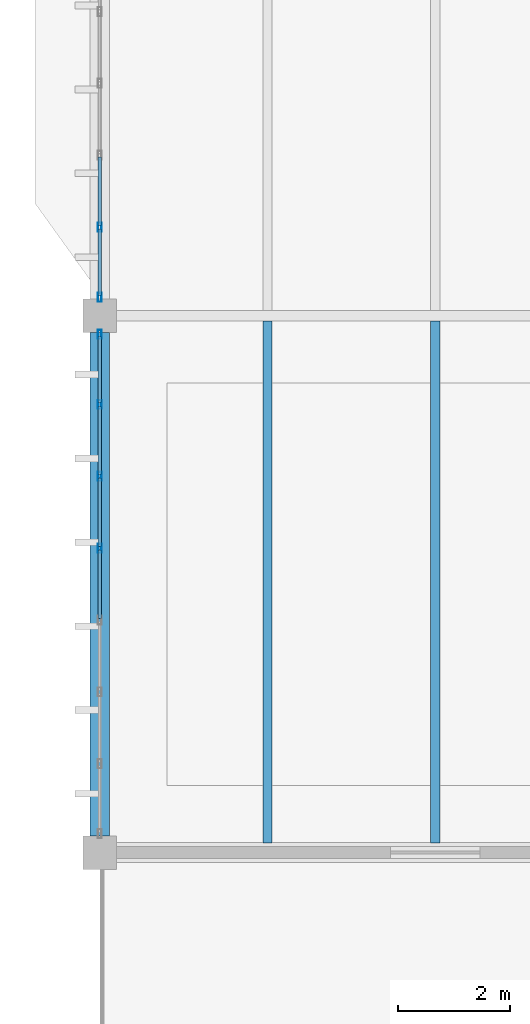
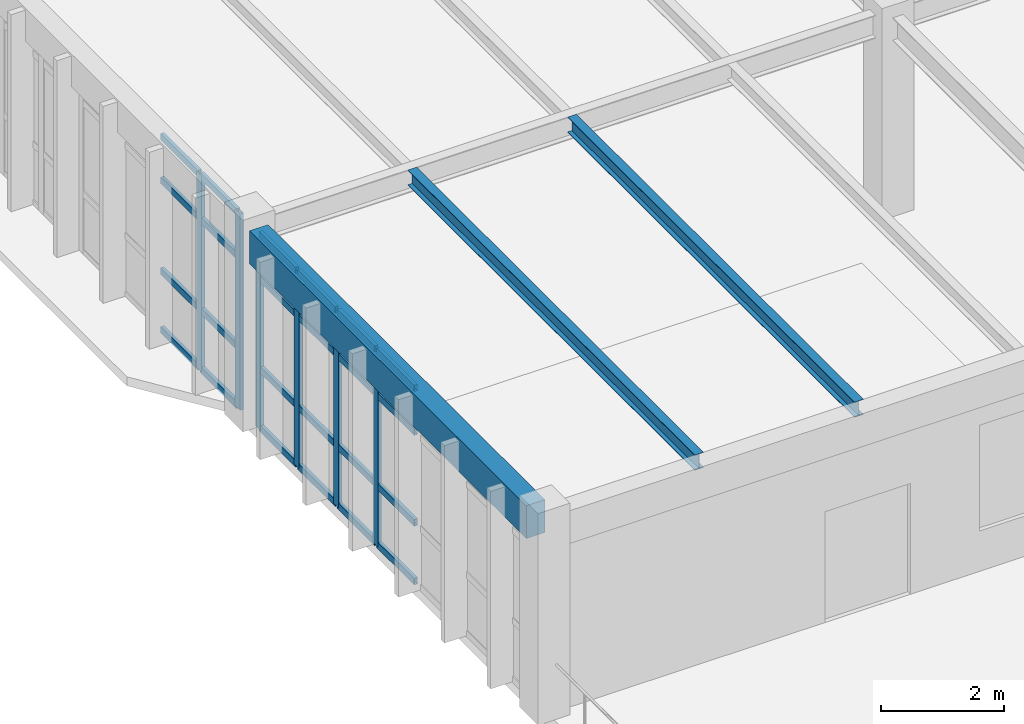
# One storey, part 26 of 83: 30 members, 3 beams, 2 elements without a shape of their own.
"""IFC4 building model written with IfcOpenShell, lengths in metres."""

from ifc_helpers import new_model, si_unit, direction, frame, origin, origin_2d, place, context, subcontext, project, spatial, rectangle, hollow_rectangle, i_section, extrude, material, layer, layer_set, material_profile, profile_set, type_object, element, aggregate, save


model = new_model("IFC4")

# Units and contexts
model_context = context("Model", 3, precision=1e-05, world=origin(), true_north=direction((0.0, 1.0)))
body_context = subcontext(model_context, "Body", "Model", "MODEL_VIEW")
ifc_project = project(units=[si_unit("LENGTHUNIT", "METRE"), si_unit("AREAUNIT", "SQUARE_METRE"), si_unit("VOLUMEUNIT", "CUBIC_METRE"), si_unit("PLANEANGLEUNIT", "RADIAN"), si_unit("MASSUNIT", "GRAM", prefix="KILO")], contexts=[model_context])

# Site, building, storey
site_placement = place(None, origin())
site = spatial("IfcSite", under=ifc_project, at=site_placement, CompositionType="ELEMENT")
building_placement = place(site_placement, origin())
building = spatial("IfcBuilding", under=site, at=building_placement, Name="Pandanus Reach Market Hall", CompositionType="ELEMENT")
storey_placement = place(building_placement, frame((0.0, 0.0, 10.199951171875)))
storey = spatial("IfcBuildingStorey", under=building, at=storey_placement, Name="L02", CompositionType="ELEMENT", Elevation=10.199951171875)

# Beam
ifc_material_1 = material(Name="Concrete N40 (40 MPa)", Category="concrete")
ifc_material_profile_1 = material_profile(ifc_material_1, rectangle(XDim=0.35009765625, YDim=0.64990234375, at=origin_2d()), Name="RC350x650", Category="LoadBearing")
ifc_profile_set_1 = profile_set([ifc_material_profile_1], Name="Concrete N40 (40 MPa)")
beam_type_1 = type_object("IfcBeamType", Name="BM-RC350-E", PredefinedType="SPANDREL", material=ifc_profile_set_1)
beam_placement = place(storey_placement, frame((144.0, 19.498046875, 3.625), z_axis=(0.0, 1.0, 0.0), x_axis=(-1.0, 0.0, 0.0)))
element("IfcBeam", 1, at=beam_placement, inside=storey, type_object=beam_type_1, Name="Framing beam BM-RC350-E L02.461", PredefinedType="SPANDREL", context=body_context, shape_type="SweptSolid", body=[
    extrude(rectangle(XDim=0.35009765625, YDim=0.64990234375, at=origin_2d()), origin(), (0.0, 0.0, 1.0), 9.00390625),
])

# Curtain wall, members
ifc_material_2 = material(Name="Bronze anodised aluminium and low-E glass", Category="aluminium")
ifc_layer = layer(ifc_material_2, 0.159912109375, Name="CW-33")
ifc_layer_set = layer_set([ifc_layer], Name="Bronze anodised aluminium and low-E glass")
curtain_wall_type = type_object("IfcCurtainWallType", Name="CW-33", PredefinedType="NOTDEFINED", material=ifc_layer_set)
curtain_wall_1_placement = place(storey_placement, origin())
curtain_wall_1 = element("IfcCurtainWall", 2, at=curtain_wall_1_placement, inside=storey, type_object=curtain_wall_type, Name="Glazed curtain wall CW-33 CW-0109", PredefinedType="NOTDEFINED")
ifc_material_3 = material(Name="Bronze anodised aluminium", Category="aluminium")
ifc_material_profile_2 = material_profile(ifc_material_3, hollow_rectangle(XDim=0.06494140625, YDim=0.159912109375, WallThickness=0.00390625, at=origin_2d()), Name="ALU65x160", Category="LoadBearing")
ifc_profile_set_2 = profile_set([ifc_material_profile_2], Name="Bronze anodised aluminium")
member_type_1 = type_object("IfcMemberType", Name="CW-M1", PredefinedType="MULLION", material=ifc_profile_set_2)
member_1_placement = place(storey_placement, frame((144.0, 24.642822265625, 0.0), z_axis=(0.0, 0.0, 1.0), x_axis=(-1.0, 0.0, 0.0)))
member_1 = element("IfcMember", 3, at=member_1_placement, type_object=member_type_1, Name="CW-33 mullion 5", PredefinedType="MULLION", context=body_context, shape_type="SweptSolid", body=[
    extrude(hollow_rectangle(XDim=0.06494140625, YDim=0.159912109375, WallThickness=0.00390625, at=origin_2d()), origin(), (0.0, 0.0, 1.0), 3.900146484375),
])
member_2_placement = place(storey_placement, frame((144.0, 25.928466796875, 0.0), z_axis=(0.0, 0.0, 1.0), x_axis=(-1.0, 0.0, 0.0)))
member_2 = element("IfcMember", 4, at=member_2_placement, type_object=member_type_1, Name="CW-33 mullion 6", PredefinedType="MULLION", context=body_context, shape_type="SweptSolid", body=[
    extrude(hollow_rectangle(XDim=0.06494140625, YDim=0.159912109375, WallThickness=0.00390625, at=origin_2d()), origin(), (0.0, 0.0, 1.0), 3.900146484375),
])
member_3_placement = place(storey_placement, frame((144.0, 27.21435546875, 0.0), z_axis=(0.0, 0.0, 1.0), x_axis=(-1.0, 0.0, 0.0)))
member_3 = element("IfcMember", 5, at=member_3_placement, type_object=member_type_1, Name="CW-33 mullion 7", PredefinedType="MULLION", context=body_context, shape_type="SweptSolid", body=[
    extrude(hollow_rectangle(XDim=0.06494140625, YDim=0.159912109375, WallThickness=0.00390625, at=origin_2d()), origin(), (0.0, 0.0, 1.0), 3.900146484375),
])
member_4_placement = place(storey_placement, frame((144.0, 28.467529296875, 0.0), z_axis=(0.0, 0.0, 1.0), x_axis=(-1.0, 0.0, 0.0)))
member_4 = element("IfcMember", 6, at=member_4_placement, type_object=member_type_1, Name="CW-33 mullion 8", PredefinedType="MULLION", context=body_context, shape_type="SweptSolid", body=[
    extrude(hollow_rectangle(XDim=0.06494140625, YDim=0.159912109375, WallThickness=0.00390625, at=origin_2d()), origin(), (0.0, 0.0, 1.0), 3.900146484375),
])

curtain_wall_2_placement = place(storey_placement, origin())
curtain_wall_2 = element("IfcCurtainWall", 7, at=curtain_wall_2_placement, inside=storey, type_object=curtain_wall_type, Name="Glazed curtain wall CW-33 CW-0110", PredefinedType="NOTDEFINED")
member_5_placement = place(storey_placement, frame((144.0, 29.132568359375, 0.0), z_axis=(0.0, 0.0, 1.0), x_axis=(-1.0, 0.0, 0.0)))
member_5 = element("IfcMember", 8, at=member_5_placement, type_object=member_type_1, Name="CW-33 mullion 1", PredefinedType="MULLION", context=body_context, shape_type="SweptSolid", body=[
    extrude(hollow_rectangle(XDim=0.06494140625, YDim=0.159912109375, WallThickness=0.00390625, at=origin_2d()), origin(), (0.0, 0.0, 1.0), 3.900146484375),
])
member_6_placement = place(storey_placement, frame((144.0, 30.3857421875, 0.0), z_axis=(0.0, 0.0, 1.0), x_axis=(-1.0, 0.0, 0.0)))
member_6 = element("IfcMember", 9, at=member_6_placement, type_object=member_type_1, Name="CW-33 mullion 2", PredefinedType="MULLION", context=body_context, shape_type="SweptSolid", body=[
    extrude(hollow_rectangle(XDim=0.06494140625, YDim=0.159912109375, WallThickness=0.00390625, at=origin_2d()), origin(), (0.0, 0.0, 1.0), 3.900146484375),
])

# Member
ifc_material_profile_3 = material_profile(ifc_material_3, hollow_rectangle(XDim=0.06494140625, YDim=0.1298828125, WallThickness=0.00390625, at=origin_2d()), Name="ALU65x130", Category="LoadBearing")
ifc_profile_set_3 = profile_set([ifc_material_profile_3], Name="Bronze anodised aluminium")
member_type_2 = type_object("IfcMemberType", Name="CW-T1", PredefinedType="USERDEFINED", material=ifc_profile_set_3)
member_7_placement = place(storey_placement, frame((144.0, 23.3896484375, 0.032470703125), z_axis=(0.0, 1.0, 0.0), x_axis=(-1.0, 0.0, 0.0)))
member_7 = element("IfcMember", 10, at=member_7_placement, type_object=member_type_2, Name="CW-33 transom 4.1", ObjectType="TRANSOM", PredefinedType="USERDEFINED", context=body_context, shape_type="SweptSolid", body=[
    extrude(hollow_rectangle(XDim=0.06494140625, YDim=0.1298828125, WallThickness=0.00390625, at=origin_2d()), origin(), (0.0, 0.0, 1.0), 1.220703125),
])

member_8_placement = place(storey_placement, frame((144.0, 23.3896484375, 1.199951171875), z_axis=(0.0, 1.0, 0.0), x_axis=(-1.0, 0.0, 0.0)))
member_8 = element("IfcMember", 11, at=member_8_placement, type_object=member_type_2, Name="CW-33 transom 4.2", ObjectType="TRANSOM", PredefinedType="USERDEFINED", context=body_context, shape_type="SweptSolid", body=[
    extrude(hollow_rectangle(XDim=0.06494140625, YDim=0.1298828125, WallThickness=0.00390625, at=origin_2d()), origin(), (0.0, 0.0, 1.0), 1.220703125),
])

member_9_placement = place(storey_placement, frame((144.0, 23.3896484375, 3.0), z_axis=(0.0, 1.0, 0.0), x_axis=(-1.0, 0.0, 0.0)))
member_9 = element("IfcMember", 12, at=member_9_placement, type_object=member_type_2, Name="CW-33 transom 4.3", ObjectType="TRANSOM", PredefinedType="USERDEFINED", context=body_context, shape_type="SweptSolid", body=[
    extrude(hollow_rectangle(XDim=0.06494140625, YDim=0.1298828125, WallThickness=0.00390625, at=origin_2d()), origin(), (0.0, 0.0, 1.0), 1.220703125),
])

member_10_placement = place(storey_placement, frame((144.0, 23.3896484375, 3.867431640625), z_axis=(0.0, 1.0, 0.0), x_axis=(-1.0, 0.0, 0.0)))
member_10 = element("IfcMember", 13, at=member_10_placement, type_object=member_type_2, Name="CW-33 transom 4.4", ObjectType="TRANSOM", PredefinedType="USERDEFINED", context=body_context, shape_type="SweptSolid", body=[
    extrude(hollow_rectangle(XDim=0.06494140625, YDim=0.1298828125, WallThickness=0.00390625, at=origin_2d()), origin(), (0.0, 0.0, 1.0), 1.220703125),
])

member_11_placement = place(storey_placement, frame((144.0, 24.67529296875, 0.032470703125), z_axis=(0.0, 1.0, 0.0), x_axis=(-1.0, 0.0, 0.0)))
member_11 = element("IfcMember", 14, at=member_11_placement, type_object=member_type_2, Name="CW-33 transom 5.1", ObjectType="TRANSOM", PredefinedType="USERDEFINED", context=body_context, shape_type="SweptSolid", body=[
    extrude(hollow_rectangle(XDim=0.06494140625, YDim=0.1298828125, WallThickness=0.00390625, at=origin_2d()), origin(), (0.0, 0.0, 1.0), 1.220703125),
])

member_12_placement = place(storey_placement, frame((144.0, 24.67529296875, 1.199951171875), z_axis=(0.0, 1.0, 0.0), x_axis=(-1.0, 0.0, 0.0)))
member_12 = element("IfcMember", 15, at=member_12_placement, type_object=member_type_2, Name="CW-33 transom 5.2", ObjectType="TRANSOM", PredefinedType="USERDEFINED", context=body_context, shape_type="SweptSolid", body=[
    extrude(hollow_rectangle(XDim=0.06494140625, YDim=0.1298828125, WallThickness=0.00390625, at=origin_2d()), origin(), (0.0, 0.0, 1.0), 1.220703125),
])

member_13_placement = place(storey_placement, frame((144.0, 24.67529296875, 3.0), z_axis=(0.0, 1.0, 0.0), x_axis=(-1.0, 0.0, 0.0)))
member_13 = element("IfcMember", 16, at=member_13_placement, type_object=member_type_2, Name="CW-33 transom 5.3", ObjectType="TRANSOM", PredefinedType="USERDEFINED", context=body_context, shape_type="SweptSolid", body=[
    extrude(hollow_rectangle(XDim=0.06494140625, YDim=0.1298828125, WallThickness=0.00390625, at=origin_2d()), origin(), (0.0, 0.0, 1.0), 1.220703125),
])

member_14_placement = place(storey_placement, frame((144.0, 24.67529296875, 3.867431640625), z_axis=(0.0, 1.0, 0.0), x_axis=(-1.0, 0.0, 0.0)))
member_14 = element("IfcMember", 17, at=member_14_placement, type_object=member_type_2, Name="CW-33 transom 5.4", ObjectType="TRANSOM", PredefinedType="USERDEFINED", context=body_context, shape_type="SweptSolid", body=[
    extrude(hollow_rectangle(XDim=0.06494140625, YDim=0.1298828125, WallThickness=0.00390625, at=origin_2d()), origin(), (0.0, 0.0, 1.0), 1.220703125),
])

member_15_placement = place(storey_placement, frame((144.0, 25.961181640625, 0.032470703125), z_axis=(0.0, 1.0, 0.0), x_axis=(-1.0, 0.0, 0.0)))
member_15 = element("IfcMember", 18, at=member_15_placement, type_object=member_type_2, Name="CW-33 transom 6.1", ObjectType="TRANSOM", PredefinedType="USERDEFINED", context=body_context, shape_type="SweptSolid", body=[
    extrude(hollow_rectangle(XDim=0.06494140625, YDim=0.1298828125, WallThickness=0.00390625, at=origin_2d()), origin(), (0.0, 0.0, 1.0), 1.220703125),
])

member_16_placement = place(storey_placement, frame((144.0, 25.961181640625, 1.199951171875), z_axis=(0.0, 1.0, 0.0), x_axis=(-1.0, 0.0, 0.0)))
member_16 = element("IfcMember", 19, at=member_16_placement, type_object=member_type_2, Name="CW-33 transom 6.2", ObjectType="TRANSOM", PredefinedType="USERDEFINED", context=body_context, shape_type="SweptSolid", body=[
    extrude(hollow_rectangle(XDim=0.06494140625, YDim=0.1298828125, WallThickness=0.00390625, at=origin_2d()), origin(), (0.0, 0.0, 1.0), 1.220703125),
])

member_17_placement = place(storey_placement, frame((144.0, 25.961181640625, 3.0), z_axis=(0.0, 1.0, 0.0), x_axis=(-1.0, 0.0, 0.0)))
member_17 = element("IfcMember", 20, at=member_17_placement, type_object=member_type_2, Name="CW-33 transom 6.3", ObjectType="TRANSOM", PredefinedType="USERDEFINED", context=body_context, shape_type="SweptSolid", body=[
    extrude(hollow_rectangle(XDim=0.06494140625, YDim=0.1298828125, WallThickness=0.00390625, at=origin_2d()), origin(), (0.0, 0.0, 1.0), 1.220703125),
])

member_18_placement = place(storey_placement, frame((144.0, 25.961181640625, 3.867431640625), z_axis=(0.0, 1.0, 0.0), x_axis=(-1.0, 0.0, 0.0)))
member_18 = element("IfcMember", 21, at=member_18_placement, type_object=member_type_2, Name="CW-33 transom 6.4", ObjectType="TRANSOM", PredefinedType="USERDEFINED", context=body_context, shape_type="SweptSolid", body=[
    extrude(hollow_rectangle(XDim=0.06494140625, YDim=0.1298828125, WallThickness=0.00390625, at=origin_2d()), origin(), (0.0, 0.0, 1.0), 1.220703125),
])

member_19_placement = place(storey_placement, frame((144.0, 27.246826171875, 0.032470703125), z_axis=(0.0, 1.0, 0.0), x_axis=(-1.0, 0.0, 0.0)))
member_19 = element("IfcMember", 22, at=member_19_placement, type_object=member_type_2, Name="CW-33 transom 7.1", ObjectType="TRANSOM", PredefinedType="USERDEFINED", context=body_context, shape_type="SweptSolid", body=[
    extrude(hollow_rectangle(XDim=0.06494140625, YDim=0.1298828125, WallThickness=0.00390625, at=origin_2d()), origin(), (0.0, 0.0, 1.0), 1.188232421875),
])

member_20_placement = place(storey_placement, frame((144.0, 27.246826171875, 1.199951171875), z_axis=(0.0, 1.0, 0.0), x_axis=(-1.0, 0.0, 0.0)))
member_20 = element("IfcMember", 23, at=member_20_placement, type_object=member_type_2, Name="CW-33 transom 7.2", ObjectType="TRANSOM", PredefinedType="USERDEFINED", context=body_context, shape_type="SweptSolid", body=[
    extrude(hollow_rectangle(XDim=0.06494140625, YDim=0.1298828125, WallThickness=0.00390625, at=origin_2d()), origin(), (0.0, 0.0, 1.0), 1.188232421875),
])

member_21_placement = place(storey_placement, frame((144.0, 27.246826171875, 3.0), z_axis=(0.0, 1.0, 0.0), x_axis=(-1.0, 0.0, 0.0)))
member_21 = element("IfcMember", 24, at=member_21_placement, type_object=member_type_2, Name="CW-33 transom 7.3", ObjectType="TRANSOM", PredefinedType="USERDEFINED", context=body_context, shape_type="SweptSolid", body=[
    extrude(hollow_rectangle(XDim=0.06494140625, YDim=0.1298828125, WallThickness=0.00390625, at=origin_2d()), origin(), (0.0, 0.0, 1.0), 1.188232421875),
])

member_22_placement = place(storey_placement, frame((144.0, 27.246826171875, 3.867431640625), z_axis=(0.0, 1.0, 0.0), x_axis=(-1.0, 0.0, 0.0)))
member_22 = element("IfcMember", 25, at=member_22_placement, type_object=member_type_2, Name="CW-33 transom 7.4", ObjectType="TRANSOM", PredefinedType="USERDEFINED", context=body_context, shape_type="SweptSolid", body=[
    extrude(hollow_rectangle(XDim=0.06494140625, YDim=0.1298828125, WallThickness=0.00390625, at=origin_2d()), origin(), (0.0, 0.0, 1.0), 1.188232421875),
])

aggregate(curtain_wall_1, [member_1, member_2, member_3, member_4, member_7, member_8, member_9, member_10, member_11, member_12, member_13, member_14, member_15, member_16, member_17, member_18, member_19, member_20, member_21, member_22])

member_23_placement = place(storey_placement, frame((144.0, 29.1650390625, 0.032470703125), z_axis=(0.0, 1.0, 0.0), x_axis=(-1.0, 0.0, 0.0)))
member_23 = element("IfcMember", 26, at=member_23_placement, type_object=member_type_2, Name="CW-33 transom 1.1", ObjectType="TRANSOM", PredefinedType="USERDEFINED", context=body_context, shape_type="SweptSolid", body=[
    extrude(hollow_rectangle(XDim=0.06494140625, YDim=0.1298828125, WallThickness=0.00390625, at=origin_2d()), origin(), (0.0, 0.0, 1.0), 1.188232421875),
])

member_24_placement = place(storey_placement, frame((144.0, 29.1650390625, 1.199951171875), z_axis=(0.0, 1.0, 0.0), x_axis=(-1.0, 0.0, 0.0)))
member_24 = element("IfcMember", 27, at=member_24_placement, type_object=member_type_2, Name="CW-33 transom 1.2", ObjectType="TRANSOM", PredefinedType="USERDEFINED", context=body_context, shape_type="SweptSolid", body=[
    extrude(hollow_rectangle(XDim=0.06494140625, YDim=0.1298828125, WallThickness=0.00390625, at=origin_2d()), origin(), (0.0, 0.0, 1.0), 1.188232421875),
])

member_25_placement = place(storey_placement, frame((144.0, 29.1650390625, 3.0), z_axis=(0.0, 1.0, 0.0), x_axis=(-1.0, 0.0, 0.0)))
member_25 = element("IfcMember", 28, at=member_25_placement, type_object=member_type_2, Name="CW-33 transom 1.3", ObjectType="TRANSOM", PredefinedType="USERDEFINED", context=body_context, shape_type="SweptSolid", body=[
    extrude(hollow_rectangle(XDim=0.06494140625, YDim=0.1298828125, WallThickness=0.00390625, at=origin_2d()), origin(), (0.0, 0.0, 1.0), 1.188232421875),
])

member_26_placement = place(storey_placement, frame((144.0, 29.1650390625, 3.867431640625), z_axis=(0.0, 1.0, 0.0), x_axis=(-1.0, 0.0, 0.0)))
member_26 = element("IfcMember", 29, at=member_26_placement, type_object=member_type_2, Name="CW-33 transom 1.4", ObjectType="TRANSOM", PredefinedType="USERDEFINED", context=body_context, shape_type="SweptSolid", body=[
    extrude(hollow_rectangle(XDim=0.06494140625, YDim=0.1298828125, WallThickness=0.00390625, at=origin_2d()), origin(), (0.0, 0.0, 1.0), 1.188232421875),
])

member_27_placement = place(storey_placement, frame((144.0, 30.418212890625, 0.032470703125), z_axis=(0.0, 1.0, 0.0), x_axis=(-1.0, 0.0, 0.0)))
member_27 = element("IfcMember", 30, at=member_27_placement, type_object=member_type_2, Name="CW-33 transom 2.1", ObjectType="TRANSOM", PredefinedType="USERDEFINED", context=body_context, shape_type="SweptSolid", body=[
    extrude(hollow_rectangle(XDim=0.06494140625, YDim=0.1298828125, WallThickness=0.00390625, at=origin_2d()), origin(), (0.0, 0.0, 1.0), 1.220703125),
])

member_28_placement = place(storey_placement, frame((144.0, 30.418212890625, 1.199951171875), z_axis=(0.0, 1.0, 0.0), x_axis=(-1.0, 0.0, 0.0)))
member_28 = element("IfcMember", 31, at=member_28_placement, type_object=member_type_2, Name="CW-33 transom 2.2", ObjectType="TRANSOM", PredefinedType="USERDEFINED", context=body_context, shape_type="SweptSolid", body=[
    extrude(hollow_rectangle(XDim=0.06494140625, YDim=0.1298828125, WallThickness=0.00390625, at=origin_2d()), origin(), (0.0, 0.0, 1.0), 1.220703125),
])

member_29_placement = place(storey_placement, frame((144.0, 30.418212890625, 3.0), z_axis=(0.0, 1.0, 0.0), x_axis=(-1.0, 0.0, 0.0)))
member_29 = element("IfcMember", 32, at=member_29_placement, type_object=member_type_2, Name="CW-33 transom 2.3", ObjectType="TRANSOM", PredefinedType="USERDEFINED", context=body_context, shape_type="SweptSolid", body=[
    extrude(hollow_rectangle(XDim=0.06494140625, YDim=0.1298828125, WallThickness=0.00390625, at=origin_2d()), origin(), (0.0, 0.0, 1.0), 1.220703125),
])

member_30_placement = place(storey_placement, frame((144.0, 30.418212890625, 3.867431640625), z_axis=(0.0, 1.0, 0.0), x_axis=(-1.0, 0.0, 0.0)))
member_30 = element("IfcMember", 33, at=member_30_placement, type_object=member_type_2, Name="CW-33 transom 2.4", ObjectType="TRANSOM", PredefinedType="USERDEFINED", context=body_context, shape_type="SweptSolid", body=[
    extrude(hollow_rectangle(XDim=0.06494140625, YDim=0.1298828125, WallThickness=0.00390625, at=origin_2d()), origin(), (0.0, 0.0, 1.0), 1.220703125),
])

aggregate(curtain_wall_2, [member_5, member_6, member_23, member_24, member_25, member_26, member_27, member_28, member_29, member_30])

# Beams
ifc_material_4 = material(Name="Steel Grade 350 (350 MPa)", Category="steel")
ifc_material_profile_4 = material_profile(ifc_material_4, i_section(OverallWidth=0.1650390625, OverallDepth=0.303955078125, WebThickness=0.006103515625, FlangeThickness=0.01025390625, at=origin_2d()), Name="310UB40.4", Category="LoadBearing")
ifc_profile_set_4 = profile_set([ifc_material_profile_4], Name="Steel Grade 350 (350 MPa)")
beam_type_2 = type_object("IfcBeamType", Name="JS-UB310-I", PredefinedType="JOIST", material=ifc_profile_set_4)
for number, where, z_axis, x_axis, name in (
    (34, (147.0, 19.373046875, 3.797607421875), (0.0, 1.0, 0.0), (-1.0, 0.0, 0.0), "Secondary joist JS-UB310-I L02.489"),
    (35, (150.0, 19.373046875, 3.797607421875), (0.0, 1.0, 0.0), (-1.0, 0.0, 0.0), "Secondary joist JS-UB310-I L02.490"),
):
    element("IfcBeam", number, at=place(storey_placement, frame(where, z_axis=z_axis, x_axis=x_axis)), inside=storey, type_object=beam_type_2, Name=name, PredefinedType="JOIST", context=body_context, shape_type="SweptSolid", body=[
        extrude(i_section(OverallWidth=0.1650390625, OverallDepth=0.303955078125, WebThickness=0.006103515625, FlangeThickness=0.01025390625, at=origin_2d()), origin(), (0.0, 0.0, 1.0), 9.333984375),
    ])

save(model, "model.ifc")
